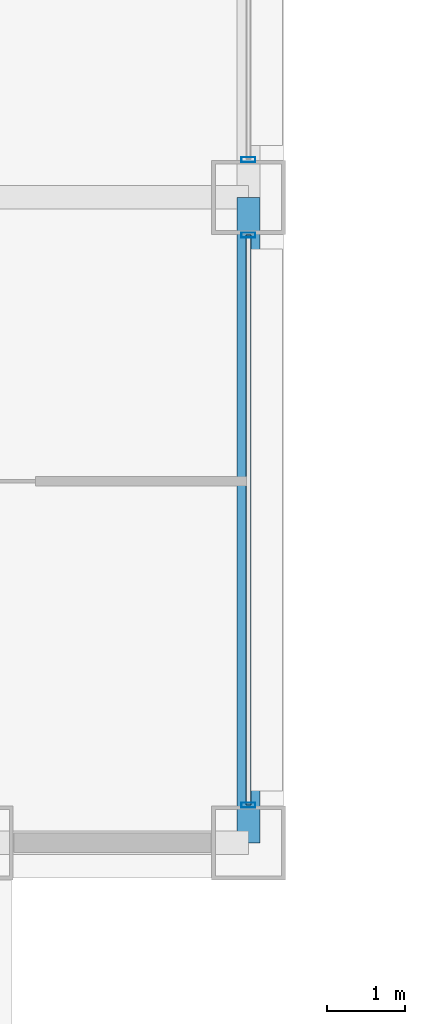
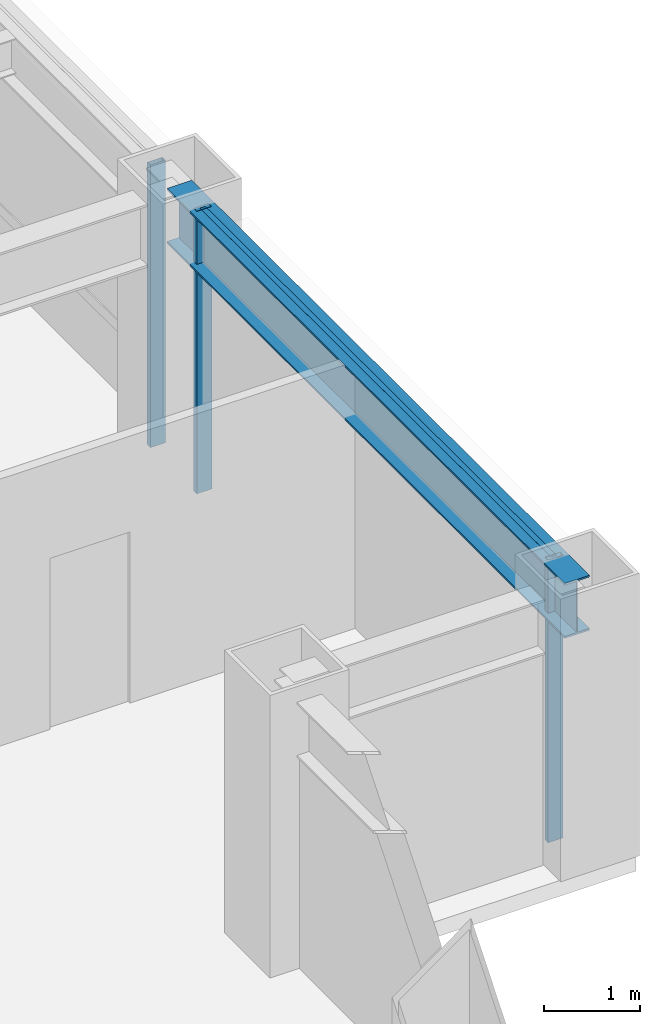
# One storey, part 12 of 31: 4 members, 1 beam, 2 elements without a shape of their own.
"""IFC4 building model written with IfcOpenShell, lengths in metres."""

from ifc_helpers import new_model, si_unit, direction, frame, origin, origin_2d, place, context, subcontext, project, spatial, hollow_rectangle, i_section, extrude, material, layer, layer_set, material_profile, profile_set, type_object, element, aggregate, save


model = new_model("IFC4")

# Units and contexts
model_context = context("Model", 3, precision=1e-05, world=origin(), true_north=direction((0.0, 1.0)))
body_context = subcontext(model_context, "Body", "Model", "MODEL_VIEW")
ifc_project = project(units=[si_unit("LENGTHUNIT", "METRE"), si_unit("AREAUNIT", "SQUARE_METRE"), si_unit("VOLUMEUNIT", "CUBIC_METRE"), si_unit("PLANEANGLEUNIT", "RADIAN"), si_unit("MASSUNIT", "GRAM", prefix="KILO")], contexts=[model_context])

# Site, building, storey
site_placement = place(None, origin())
site = spatial("IfcSite", under=ifc_project, at=site_placement, CompositionType="ELEMENT")
building_placement = place(site_placement, origin())
building = spatial("IfcBuilding", under=site, at=building_placement, Name="Brelmoor Portico Tower", CompositionType="ELEMENT")
storey_placement = place(building_placement, frame((0.0, 0.0, 38.39990234375)))
storey = spatial("IfcBuildingStorey", under=building, at=storey_placement, Name="L09", CompositionType="ELEMENT", Elevation=38.39990234375)

# Beam
ifc_material_1 = material(Name="Steel Q355B", Category="steel")
ifc_material_profile_1 = material_profile(ifc_material_1, i_section(OverallWidth=0.300048828125, OverallDepth=0.699951171875, WebThickness=0.012939453125, FlangeThickness=0.02392578125, at=origin_2d()), Name="HN 700x300x13x24")
ifc_profile_set_1 = profile_set([ifc_material_profile_1], Name="Steel Q355B")
beam_type = type_object("IfcBeamType", Name="BM-SP-700", PredefinedType="SPANDREL", material=ifc_profile_set_1)
beam_placement = place(storey_placement, frame((24.550048828125, -18.050048828125, 3.050048828125), z_axis=(0.0, 1.0, 0.0), x_axis=(-1.0, 0.0, 0.0)))
element("IfcBeam", 1, at=beam_placement, inside=storey, type_object=beam_type, Name="L09 Perimeter Spandrel Beam SP-22", PredefinedType="SPANDREL", context=body_context, shape_type="SweptSolid", body=[
    extrude(i_section(OverallWidth=0.300048828125, OverallDepth=0.699951171875, WebThickness=0.012939453125, FlangeThickness=0.02392578125, at=origin_2d()), origin(), (0.0, 0.0, 1.0), 8.300048828125),
])

# Curtain wall, members
ifc_material_2 = material(Name="Anodised Aluminium Alloy 6063-T6", Category="aluminium")
ifc_layer_1 = layer(ifc_material_2, 0.179931640625)
ifc_layer_set_1 = layer_set([ifc_layer_1], Name="Anodised Aluminium Alloy 6063-T6")
curtain_wall_type_1 = type_object("IfcCurtainWallType", Name="CW-TOWER-Z1-XB", PredefinedType="NOTDEFINED", material=ifc_layer_set_1)
curtain_wall_1_placement = place(storey_placement, origin())
curtain_wall_1 = element("IfcCurtainWall", 2, at=curtain_wall_1_placement, inside=storey, type_object=curtain_wall_type_1, Name="L09 Curtain Wall CW-L09-4L-1", PredefinedType="NOTDEFINED")
ifc_material_profile_2 = material_profile(ifc_material_2, hollow_rectangle(XDim=0.06494140625, YDim=0.179931640625, WallThickness=0.00390625, at=origin_2d()), Name="ALU MULLION 65x180")
ifc_profile_set_2 = profile_set([ifc_material_profile_2], Name="Anodised Aluminium Alloy 6063-T6")
member_type_1 = type_object("IfcMemberType", Name="MB-CW-MULL-180", PredefinedType="MULLION", material=ifc_profile_set_2)
member_1_placement = place(storey_placement, frame((24.550048828125, -17.56494140625, -0.199951171875), z_axis=(0.0, 0.0, 1.0), x_axis=(0.0, 1.0, 0.0)))
member_1 = element("IfcMember", 3, at=member_1_placement, type_object=member_type_1, Name="CW-L09-4L-1 Mullion 00", PredefinedType="MULLION", context=body_context, shape_type="SweptSolid", body=[
    extrude(hollow_rectangle(XDim=0.06494140625, YDim=0.179931640625, WallThickness=0.00390625, at=origin_2d()), origin(), (0.0, 0.0, 1.0), 3.60009765625),
])
member_2_placement = place(storey_placement, frame((24.550048828125, -10.235107421875, -0.199951171875), z_axis=(0.0, 0.0, 1.0), x_axis=(0.0, 1.0, 0.0)))
member_2 = element("IfcMember", 4, at=member_2_placement, type_object=member_type_1, Name="CW-L09-4L-1 Mullion 01", PredefinedType="MULLION", context=body_context, shape_type="SweptSolid", body=[
    extrude(hollow_rectangle(XDim=0.06494140625, YDim=0.179931640625, WallThickness=0.00390625, at=origin_2d()), origin(), (0.0, 0.0, 1.0), 3.60009765625),
])

# Curtain wall, member
ifc_layer_2 = layer(ifc_material_2, 0.179931640625)
ifc_layer_set_2 = layer_set([ifc_layer_2], Name="Anodised Aluminium Alloy 6063-T6")
curtain_wall_type_2 = type_object("IfcCurtainWallType", Name="CW-TOWER-Z1", PredefinedType="NOTDEFINED", material=ifc_layer_set_2)
curtain_wall_2_placement = place(storey_placement, origin())
curtain_wall_2 = element("IfcCurtainWall", 5, at=curtain_wall_2_placement, inside=storey, type_object=curtain_wall_type_2, Name="L09 Curtain Wall CW-L09-4L-2", PredefinedType="NOTDEFINED")
member_3_placement = place(storey_placement, frame((24.550048828125, -9.264892578125, -0.199951171875), z_axis=(0.0, 0.0, 1.0), x_axis=(0.0, 1.0, 0.0)))
member_3 = element("IfcMember", 6, at=member_3_placement, type_object=member_type_1, Name="CW-L09-4L-2 Mullion 00", PredefinedType="MULLION", context=body_context, shape_type="SweptSolid", body=[
    extrude(hollow_rectangle(XDim=0.06494140625, YDim=0.179931640625, WallThickness=0.00390625, at=origin_2d()), origin(), (0.0, 0.0, 1.0), 3.60009765625),
])
aggregate(curtain_wall_2, [member_3])

# Member
ifc_material_profile_3 = material_profile(ifc_material_2, hollow_rectangle(XDim=0.06494140625, YDim=0.139892578125, WallThickness=0.00390625, at=origin_2d()), Name="ALU TRANSOM 65x140")
ifc_profile_set_3 = profile_set([ifc_material_profile_3], Name="Anodised Aluminium Alloy 6063-T6")
member_type_2 = type_object("IfcMemberType", Name="MB-CW-TRAN-140", PredefinedType="USERDEFINED", material=ifc_profile_set_3)
member_4_placement = place(storey_placement, frame((24.550048828125, -17.56494140625, 3.330078125), z_axis=(0.0, 1.0, 0.0), x_axis=(-1.0, 0.0, 0.0)))
member_4 = element("IfcMember", 7, at=member_4_placement, type_object=member_type_2, Name="CW-L09-4L-1 Transom 1-00", ObjectType="TRANSOM", PredefinedType="USERDEFINED", context=body_context, shape_type="SweptSolid", body=[
    extrude(hollow_rectangle(XDim=0.06494140625, YDim=0.139892578125, WallThickness=0.00390625, at=origin_2d()), origin(), (0.0, 0.0, 1.0), 7.329833984375),
])

aggregate(curtain_wall_1, [member_1, member_2, member_4])

save(model, "model.ifc")
